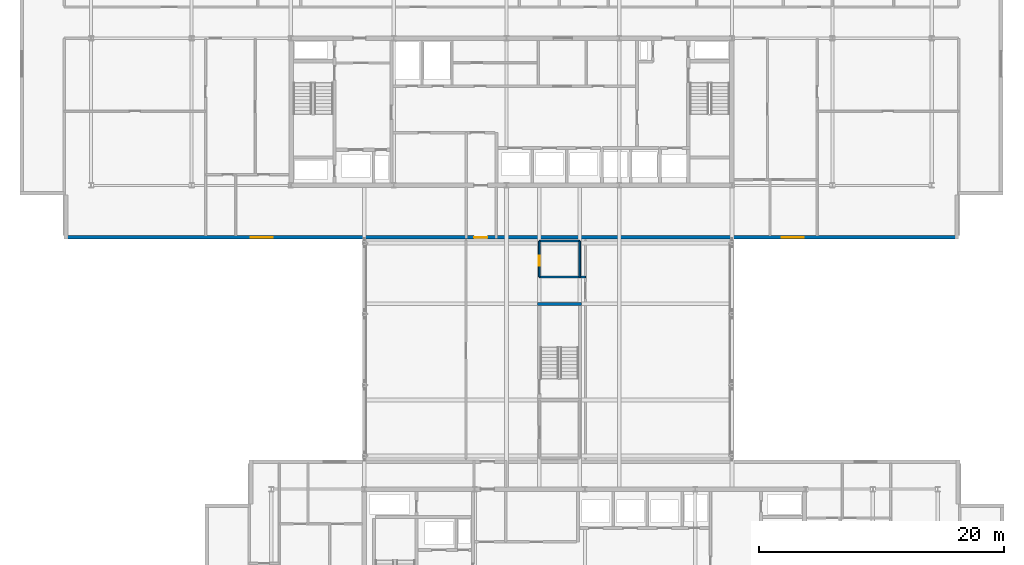
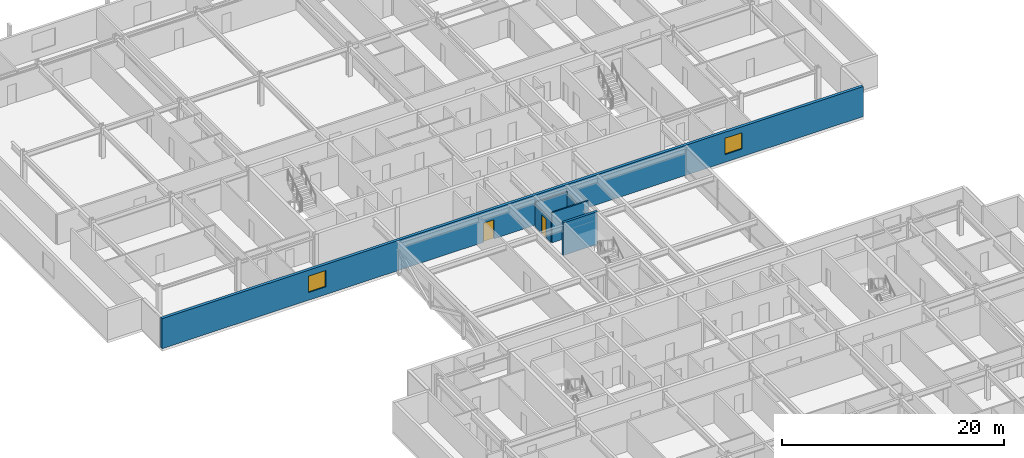
# One storey, part 22 of 36: 6 walls, 2 doors, 2 windows, 4 openings.
"""IFC4 building model written with IfcOpenShell, lengths in metres."""

import ifcopenshell
import ifcopenshell.guid

model = None  # the IFC model being written
_history = None  # IfcOwnerHistory: only IFC2X3 demands one
_inside = {}  # id of a spatial element -> (the spatial element, [elements in it])
_under = {}  # id of a project, library or spatial element -> (it, [spatial elements below it])
_declared = {}  # id of a project -> (the project, [libraries it declares])
_typed = {}  # id of a type object -> (the type object, [elements of that type])
_made_of = {}  # id of a material, layer set ... -> (it, [elements and type objects made of it])


def new_model(schema):
    """Start an empty IFC model of exactly this schema.

    Asked for "IFC4X3", IfcOpenShell would pick the latest addendum, in which some entities
    have other attributes; the version numbers below select the first issue.
    IFC2X3 requires an IfcOwnerHistory on every rooted entity: one is made here for all.
    """
    global model, _history
    if schema == "IFC4X3":
        model = ifcopenshell.file(schema_version=(4, 3, 0, 0))
    else:
        model = ifcopenshell.file(schema=schema)
    _inside.clear()
    _under.clear()
    _declared.clear()
    _typed.clear()
    _made_of.clear()
    _history = None
    if model.schema == "IFC2X3":
        org = make("IfcOrganization", Name="unknown")
        user = make(
            "IfcPersonAndOrganization",
            ThePerson=make("IfcPerson", FamilyName="unknown"),
            TheOrganization=org,
        )
        app = make(
            "IfcApplication",
            ApplicationDeveloper=org,
            Version="unknown",
            ApplicationFullName="unknown",
            ApplicationIdentifier="unknown",
        )
        _history = make(
            "IfcOwnerHistory",
            OwningUser=user,
            OwningApplication=app,
            ChangeAction="ADDED",
            CreationDate=0,
        )
    return model


def make(cls, **values):
    """One entity of the class cls with the attributes given. An attribute that is None is left unset."""
    return model.create_entity(
        cls, **{name: value for name, value in values.items() if value is not None}
    )


def rooted(cls, **values):
    """An entity with a GlobalId (a new one), such as an element, a storey or a relation."""
    return make(cls, GlobalId=ifcopenshell.guid.new(), OwnerHistory=_history, **values)


def si_unit(unit_type, name, prefix=None):
    """IfcSIUnit, for example si_unit("LENGTHUNIT", "METRE", prefix="MILLI")."""
    return make("IfcSIUnit", UnitType=unit_type, Prefix=prefix, Name=name)


def assignment(units):
    """IfcUnitAssignment: the units of a project."""
    return None if units is None else make("IfcUnitAssignment", Units=units)


def point(xyz):
    """IfcCartesianPoint."""
    return None if xyz is None else make("IfcCartesianPoint", Coordinates=xyz)


def direction(xyz):
    """IfcDirection."""
    return None if xyz is None else make("IfcDirection", DirectionRatios=xyz)


def frame(location, z_axis=None, x_axis=None):
    """IfcAxis2Placement3D, a coordinate frame: its origin and axes. An axis left out is left unset."""
    return make(
        "IfcAxis2Placement3D",
        Location=point(location),
        Axis=direction(z_axis),
        RefDirection=direction(x_axis),
    )


def frame_2d(location, x_axis=None):
    """IfcAxis2Placement2D, a coordinate frame in the plane: its origin and x axis."""
    return make(
        "IfcAxis2Placement2D", Location=point(location), RefDirection=direction(x_axis)
    )


def origin():
    """The frame at (0, 0, 0) with its axes left unset."""
    return frame((0.0, 0.0, 0.0))


def place(relative_to, where):
    """IfcLocalPlacement: puts the frame where relative to a parent placement (None: the world)."""
    return make(
        "IfcLocalPlacement", PlacementRelTo=relative_to, RelativePlacement=where
    )


def context(
    kind, dimensions, precision=None, world=None, true_north=None, identifier=None
):
    """IfcGeometricRepresentationContext, for example the 3D "Model" context."""
    return make(
        "IfcGeometricRepresentationContext",
        ContextIdentifier=identifier,
        ContextType=kind,
        CoordinateSpaceDimension=dimensions,
        Precision=precision,
        WorldCoordinateSystem=world,
        TrueNorth=true_north,
    )


def subcontext(parent, identifier, kind, view, scale=None):
    """IfcGeometricRepresentationSubContext, for example "Body" below "Model"."""
    return make(
        "IfcGeometricRepresentationSubContext",
        ContextIdentifier=identifier,
        ContextType=kind,
        ParentContext=parent,
        TargetScale=scale,
        TargetView=view,
    )


def project(units=None, contexts=None):
    """IfcProject with its units and contexts."""
    return rooted(
        "IfcProject",
        Name="project",
        RepresentationContexts=contexts,
        UnitsInContext=assignment(units),
    )


def spatial(cls, under=None, at=None, **own):
    """A site, building, storey or space (cls), placed at a placement, below another one or the project."""
    s = rooted(cls, ObjectPlacement=at, **own)
    if under is not None:
        _under.setdefault(under.id(), (under, []))[1].append(s)
    return s


def profile(cls, at=None, kind="AREA", **sizes):
    """A parametric profile (cls). Its sizes go by their IFC names, for example OverallWidth=200.0."""
    return make(cls, ProfileType=kind, Position=at, **sizes)


def rectangle(**sizes):
    """IfcRectangleProfileDef."""
    return profile("IfcRectangleProfileDef", **sizes)


def extrude(swept, where, along, depth):
    """IfcExtrudedAreaSolid: the profile swept, set in the frame where, extruded along a direction by depth."""
    return make(
        "IfcExtrudedAreaSolid",
        SweptArea=swept,
        Position=where,
        ExtrudedDirection=direction(along),
        Depth=depth,
    )


def shape(context_of_items, identifier, shape_type, items):
    """IfcShapeRepresentation: the items that make up one representation, for example the "Body"."""
    return make(
        "IfcShapeRepresentation",
        ContextOfItems=context_of_items,
        RepresentationIdentifier=identifier,
        RepresentationType=shape_type,
        Items=items,
    )


def material(Name=None, Category=None):
    """IfcMaterial."""
    return make("IfcMaterial", Name=Name, Category=Category)


def layer(
    of_material, thickness, ventilated=None, Name=None, Category=None, Priority=None
):
    """IfcMaterialLayer: one layer of a wall or slab, of a material (None: an air gap)."""
    return make(
        "IfcMaterialLayer",
        Material=of_material,
        LayerThickness=thickness,
        IsVentilated=ventilated,
        Name=Name,
        Category=Category,
        Priority=Priority,
    )


def layer_set(layers, Name=None):
    """IfcMaterialLayerSet."""
    return make("IfcMaterialLayerSet", MaterialLayers=layers, LayerSetName=Name)


def made_of(thing, what):
    """Note that an element or type object is made of a material, layer set ...; save() writes the relation."""
    if what is not None:
        _made_of.setdefault(what.id(), (what, []))[1].append(thing)
    return thing


def type_object(cls, material=None, **own):
    """A type object (cls), such as IfcWallType, which elements share."""
    return made_of(rooted(cls, **own), material)


def element(
    cls,
    number,
    at=None,
    inside=None,
    cuts=None,
    type_object=None,
    material=None,
    context=None,
    identifier="Body",
    shape_type=None,
    held_by="IfcProductDefinitionShape",
    body=None,
    shapes=None,
    **own,
):
    """One element of the class cls, such as IfcWall. Its Tag is "e" and its number.

    at: its placement. inside: the storey or other place that contains it. cuts: it is an
    opening in that element (IfcRelVoidsElement). A single representation is given by context,
    identifier, shape_type and body (its items); several are given by shapes. held_by: the class
    of the entity that holds the representations. save() writes the other relations.
    """
    e = rooted(cls, Tag="e%d" % number, ObjectPlacement=at, **own)
    if body is not None:
        shapes = [shape(context, identifier, shape_type, body)]
    if shapes is not None:
        e.Representation = make(held_by, Representations=shapes)
    if inside is not None:
        _inside.setdefault(inside.id(), (inside, []))[1].append(e)
    if cuts is not None:
        rooted(
            "IfcRelVoidsElement", RelatingBuildingElement=cuts, RelatedOpeningElement=e
        )
    if type_object is not None:
        _typed.setdefault(type_object.id(), (type_object, []))[1].append(e)
    return made_of(e, material)


def fill(opening, filler):
    """IfcRelFillsElement: the door or window that sits in an opening."""
    return rooted(
        "IfcRelFillsElement",
        RelatingOpeningElement=opening,
        RelatedBuildingElement=filler,
    )


def aggregate(whole, parts):
    """IfcRelAggregates: a whole, such as a stair, and the parts it consists of."""
    return rooted("IfcRelAggregates", RelatingObject=whole, RelatedObjects=parts)


def save(model, path):
    """Write the relations noted so far, then the file.

    IfcRelAggregates (storeys below a building ...), IfcRelContainedInSpatialStructure (elements
    in a storey), IfcRelDefinesByType, IfcRelAssociatesMaterial and IfcRelDeclares: one each for
    every whole, place, type object, material and project.
    """
    for whole, parts in _under.values():
        aggregate(whole, parts)
    for where, things in _inside.values():
        rooted(
            "IfcRelContainedInSpatialStructure",
            RelatedElements=things,
            RelatingStructure=where,
        )
    for kind, things in _typed.values():
        rooted("IfcRelDefinesByType", RelatedObjects=things, RelatingType=kind)
    for what, things in _made_of.values():
        rooted("IfcRelAssociatesMaterial", RelatedObjects=things, RelatingMaterial=what)
    for by, libraries in _declared.values():
        rooted("IfcRelDeclares", RelatingContext=by, RelatedDefinitions=libraries)
    model.write(path)


model = new_model("IFC4")

# Units and contexts
model_context = context("Model", 3, precision=1e-05, world=origin(), true_north=direction((0.0, 1.0)))
body_context = subcontext(model_context, "Body", "Model", "MODEL_VIEW")
ifc_project = project(units=[si_unit("LENGTHUNIT", "METRE"), si_unit("AREAUNIT", "SQUARE_METRE"), si_unit("VOLUMEUNIT", "CUBIC_METRE"), si_unit("PLANEANGLEUNIT", "RADIAN"), si_unit("MASSUNIT", "GRAM", prefix="KILO")], contexts=[model_context])

# Site, building, storey
site_placement = place(None, origin())
site = spatial("IfcSite", under=ifc_project, at=site_placement, CompositionType="ELEMENT")
building_placement = place(site_placement, origin())
building = spatial("IfcBuilding", under=site, at=building_placement, Name="Korimba Cascade Residences", CompositionType="ELEMENT")
storey_placement = place(building_placement, frame((0.0, 0.0, 142.89990234375)))
storey = spatial("IfcBuildingStorey", under=building, at=storey_placement, Name="L41", CompositionType="ELEMENT", Elevation=142.89990234375)

# Wall, openings, door, windows
ifc_material_1 = material(Name="Precast concrete C40/50", Category="concrete")
ifc_layer_1 = layer(ifc_material_1, 0.300048828125)
ifc_layer_set_1 = layer_set([ifc_layer_1], Name="Precast concrete C40/50")
wall_type_1 = type_object("IfcWallType", Name="EW-STONE-300", PredefinedType="STANDARD", material=ifc_layer_set_1)
wall_1_placement = place(storey_placement, frame((57.60009765625, 50.949951171875, 0.0), z_axis=(0.0, 0.0, 1.0), x_axis=(1.0, 0.0, 0.0)))
wall_1 = element("IfcWall", 1, at=wall_1_placement, inside=storey, type_object=wall_type_1, Name="L41 T1 Perimeter Stone Wall E00", PredefinedType="STANDARD", context=body_context, shape_type="SweptSolid", body=[
    extrude(rectangle(XDim=73.0, YDim=0.300048828125, at=frame_2d((36.5, 0.0))), origin(), (0.0, 0.0, 1.0), 3.31005859375),
])
opening_1_placement = place(wall_1_placement, frame((15.22509765625, 0.0, 0.85009765625)))
opening_1 = element("IfcOpeningElement", 2, at=opening_1_placement, cuts=wall_1, Name="Opening W-02", PredefinedType="OPENING", context=body_context, shape_type="SweptSolid", body=[
    extrude(rectangle(XDim=1.800048828125, YDim=1.800048828125, at=frame_2d((0.89990234375, 0.89990234375))), frame((0.0, 0.16015625, 0.0), z_axis=(0.0, -1.0, 0.0), x_axis=(1.0, 0.0, 0.0)), (0.0, 0.0, 1.0), 0.320068359375),
])
opening_2_placement = place(wall_1_placement, frame((58.574951171875, 0.0, 0.85009765625)))
opening_2 = element("IfcOpeningElement", 3, at=opening_2_placement, cuts=wall_1, Name="Opening W-02", PredefinedType="OPENING", context=body_context, shape_type="SweptSolid", body=[
    extrude(rectangle(XDim=1.800048828125, YDim=1.800048828125, at=frame_2d((0.89990234375, 0.89990234375))), frame((0.0, 0.16015625, 0.0), z_axis=(0.0, -1.0, 0.0), x_axis=(1.0, 0.0, 0.0)), (0.0, 0.0, 1.0), 0.320068359375),
])
opening_3_placement = place(wall_1_placement, frame((33.449951171875, 0.0, 0.0)))
opening_3 = element("IfcOpeningElement", 4, at=opening_3_placement, cuts=wall_1, Name="Opening D-BF1", PredefinedType="OPENING", context=body_context, shape_type="SweptSolid", body=[
    extrude(rectangle(XDim=1.10009765625, YDim=2.10009765625, at=frame_2d((0.550048828125, 1.050048828125))), frame((0.0, 0.16015625, 0.0), z_axis=(0.0, -1.0, 0.0), x_axis=(1.0, 0.0, 0.0)), (0.0, 0.0, 1.0), 0.320068359375),
])
ifc_material_2 = material(Name="Fire-Rated Steel Skybridge Link Door", Category="steel")
door_type_1 = type_object("IfcDoorType", Name="DR-BRG-FD120", OperationType="NOTDEFINED", PredefinedType="DOOR", material=ifc_material_2)
door_1_placement = place(opening_3_placement, origin())
door_1 = element("IfcDoor", 5, at=door_1_placement, inside=storey, type_object=door_type_1, Name="L41 Skybridge to Tower 1 Fire Door", OperationType="SINGLE_SWING_LEFT", OverallHeight=2.10009765625, OverallWidth=1.10009765625, PredefinedType="DOOR", context=body_context, shape_type="SweptSolid", body=[
    extrude(rectangle(XDim=1.10009765625, YDim=2.10009765625, at=frame_2d((0.550048828125, 1.050048828125))), frame((0.0, 0.02490234375, 0.0), z_axis=(0.0, -1.0, 0.0), x_axis=(1.0, 0.0, 0.0)), (0.0, 0.0, 1.0), 0.050048828125),
])
fill(opening_3, door_1)
ifc_material_3 = material(Name="Double-Glazed Aluminium Window", Category="aluminium")
window_type = type_object("IfcWindowType", Name="WIN-BED-1800", PartitioningType="SINGLE_PANEL", PredefinedType="WINDOW", material=ifc_material_3)
window_1_placement = place(opening_1_placement, origin())
window_1 = element("IfcWindow", 6, at=window_1_placement, inside=storey, type_object=window_type, Name="L41 T1 South Corner Bedroom Window 1", OverallHeight=1.800048828125, OverallWidth=1.800048828125, PartitioningType="SINGLE_PANEL", PredefinedType="WINDOW", context=body_context, shape_type="SweptSolid", body=[
    extrude(rectangle(XDim=1.800048828125, YDim=1.800048828125, at=frame_2d((0.89990234375, 0.89990234375))), frame((0.0, 0.030029296875, 0.0), z_axis=(0.0, -1.0, 0.0), x_axis=(1.0, 0.0, 0.0)), (0.0, 0.0, 1.0), 0.06005859375),
])
fill(opening_1, window_1)
window_2_placement = place(opening_2_placement, origin())
window_2 = element("IfcWindow", 7, at=window_2_placement, inside=storey, type_object=window_type, Name="L41 T1 South Corner Bedroom Window 2", OverallHeight=1.800048828125, OverallWidth=1.800048828125, PartitioningType="SINGLE_PANEL", PredefinedType="WINDOW", context=body_context, shape_type="SweptSolid", body=[
    extrude(rectangle(XDim=1.800048828125, YDim=1.800048828125, at=frame_2d((0.89990234375, 0.89990234375))), frame((0.0, 0.030029296875, 0.0), z_axis=(0.0, -1.0, 0.0), x_axis=(1.0, 0.0, 0.0)), (0.0, 0.0, 1.0), 0.06005859375),
])
fill(opening_2, window_2)

# Wall
ifc_material_4 = material(Name="Insulated Acoustic Stud Partition", Category="gypsum")
ifc_layer_2 = layer(ifc_material_4, 0.14990234375)
ifc_layer_set_2 = layer_set([ifc_layer_2], Name="Insulated Acoustic Stud Partition")
wall_type_2 = type_object("IfcWallType", Name="WAL-PART-150", PredefinedType="PARTITIONING", material=ifc_layer_set_2)
wall_2_placement = place(storey_placement, frame((96.375, 50.64990234375, 0.0), z_axis=(0.0, 0.0, 1.0), x_axis=(1.0, 0.0, 0.0)))
element("IfcWall", 8, at=wall_2_placement, inside=storey, type_object=wall_type_2, Name="L41 Partition Wall WAL-L41-BRG-WCN2", PredefinedType="PARTITIONING", context=body_context, shape_type="SweptSolid", body=[
    extrude(rectangle(XDim=3.31005859375, YDim=0.14990234375, at=frame_2d((1.655029296875, 0.0))), origin(), (0.0, 0.0, 1.0), 2.68994140625),
])

# Wall, opening, door
wall_3_placement = place(storey_placement, frame((96.375, 47.719970703125, 0.0), z_axis=(0.0, 0.0, 1.0), x_axis=(0.0, 1.0, 0.0)))
wall_3 = element("IfcWall", 9, at=wall_3_placement, inside=storey, type_object=wall_type_2, Name="L41 Partition Wall WAL-L41-BRG-WCW2", PredefinedType="PARTITIONING", context=body_context, shape_type="SweptSolid", body=[
    extrude(rectangle(XDim=2.929931640625, YDim=0.14990234375, at=frame_2d((1.46484375, 0.0))), origin(), (0.0, 0.0, 1.0), 2.383544921875),
])
opening_4_placement = place(wall_3_placement, frame((0.89990234375, 0.0, 0.0)))
opening_4 = element("IfcOpeningElement", 10, at=opening_4_placement, cuts=wall_3, Name="Opening D-BT1", PredefinedType="OPENING", context=body_context, shape_type="SweptSolid", body=[
    extrude(rectangle(XDim=0.840087890625, YDim=2.0400390625, at=frame_2d((0.419921875, 1.02001953125))), frame((0.0, 0.0849609375, 0.0), z_axis=(0.0, -1.0, 0.0), x_axis=(1.0, 0.0, 0.0)), (0.0, 0.0, 1.0), 0.169921875),
])
ifc_material_5 = material(Name="Moisture-Resistant Bathroom Timber Door", Category="wood")
door_type_2 = type_object("IfcDoorType", Name="DR-INT-850", OperationType="NOTDEFINED", PredefinedType="DOOR", material=ifc_material_5)
door_2_placement = place(opening_4_placement, origin())
door_2 = element("IfcDoor", 11, at=door_2_placement, inside=storey, type_object=door_type_2, Name="L41 Skybridge WC Door", OperationType="SINGLE_SWING_LEFT", OverallHeight=2.0400390625, OverallWidth=0.840087890625, PredefinedType="DOOR", context=body_context, shape_type="SweptSolid", body=[
    extrude(rectangle(XDim=0.840087890625, YDim=2.0400390625, at=frame_2d((0.419921875, 1.02001953125))), frame((0.0, 0.02490234375, 0.0), z_axis=(0.0, -1.0, 0.0), x_axis=(1.0, 0.0, 0.0)), (0.0, 0.0, 1.0), 0.050048828125),
])
fill(opening_4, door_2)

# Walls
wall_4_placement = place(storey_placement, frame((96.375, 47.719970703125, 0.0), z_axis=(0.0, 0.0, 1.0), x_axis=(1.0, 0.0, 0.0)))
element("IfcWall", 12, at=wall_4_placement, inside=storey, type_object=wall_type_2, Name="L41 Partition Wall WAL-L41-BRG-WCSH", PredefinedType="PARTITIONING", context=body_context, shape_type="SweptSolid", body=[
    extrude(rectangle(XDim=3.77490234375, YDim=0.14990234375, at=frame_2d((1.887451171875, 0.0))), origin(), (0.0, 0.0, 1.0), 3.31005859375),
])
wall_5_placement = place(storey_placement, frame((99.68505859375, 47.719970703125, 0.0), z_axis=(0.0, 0.0, 1.0), x_axis=(0.0, 1.0, 0.0)))
element("IfcWall", 13, at=wall_5_placement, inside=storey, type_object=wall_type_2, Name="L41 Partition Wall WAL-L41-BRG-EE3", PredefinedType="PARTITIONING", context=body_context, shape_type="SweptSolid", body=[
    extrude(rectangle(XDim=2.929931640625, YDim=0.14990234375, at=frame_2d((1.46484375, 0.0))), origin(), (0.0, 0.0, 1.0), 2.383544921875),
])
ifc_material_6 = material(Name="Concrete C50/60", Category="concrete")
ifc_layer_3 = layer(ifc_material_6, 0.25)
ifc_layer_set_3 = layer_set([ifc_layer_3], Name="Concrete C50/60")
wall_type_3 = type_object("IfcWallType", Name="WAL-SHAFT-250", PredefinedType="SHEAR", material=ifc_layer_set_3)
wall_6_placement = place(storey_placement, frame((96.25, 45.52490234375, 0.0), z_axis=(0.0, 0.0, 1.0), x_axis=(1.0, 0.0, 0.0)))
element("IfcWall", 14, at=wall_6_placement, inside=storey, type_object=wall_type_3, Name="L41 Core Shear Wall CW-L41-STBR1N", PredefinedType="SHEAR", context=body_context, shape_type="SweptSolid", body=[
    extrude(rectangle(XDim=3.56005859375, YDim=0.25, at=frame_2d((1.780029296875, 0.0))), origin(), (0.0, 0.0, 1.0), 3.60009765625),
])

save(model, "model.ifc")
